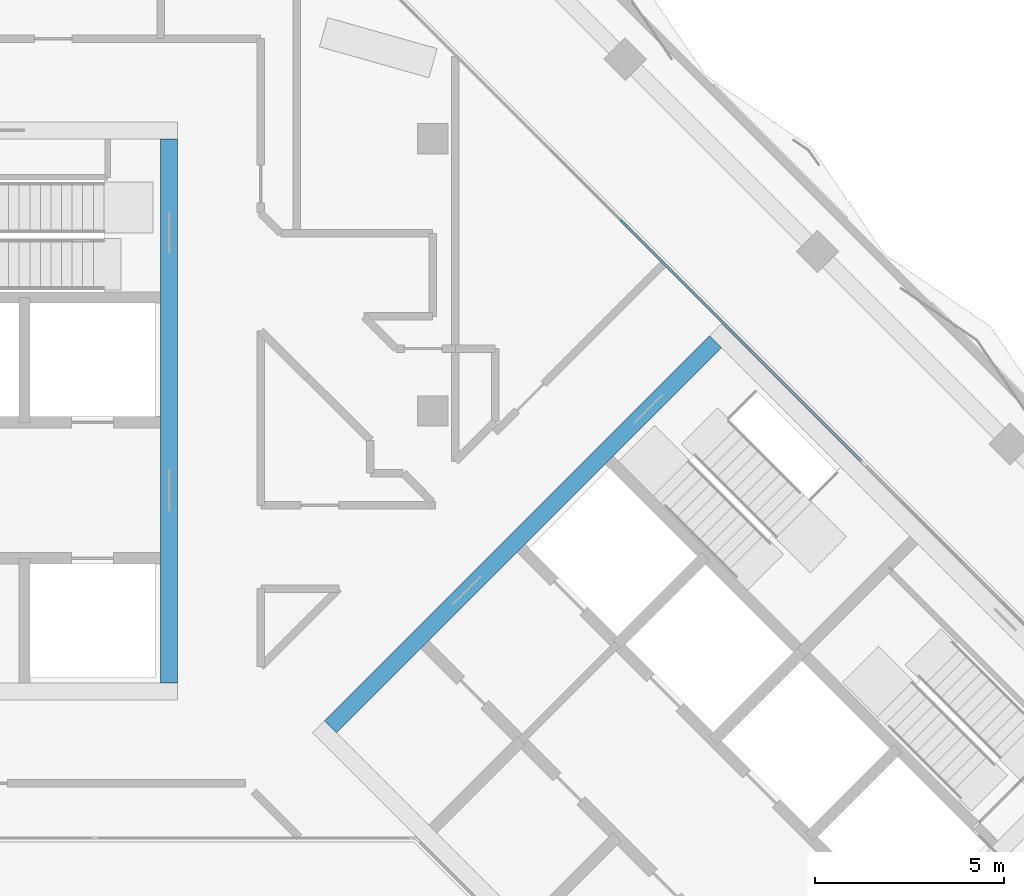
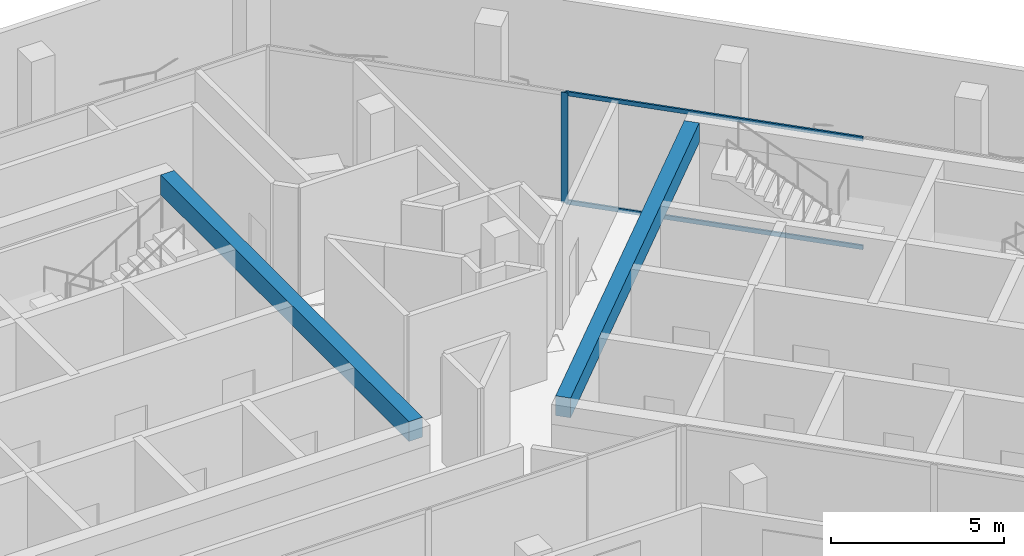
# One storey, part 4 of 19: 3 members, 2 beams, 1 element without a shape of its own.
"""IFC4 building model written with IfcOpenShell, lengths in metres."""

from ifc_helpers import new_model, si_unit, direction, frame, origin, origin_2d, place, context, subcontext, project, spatial, rectangle, extrude, material, material_profile, profile_set, type_object, element, aggregate, save


model = new_model("IFC4")

# Units and contexts
model_context = context("Model", 3, precision=1e-05, world=origin(), true_north=direction((0.0, 1.0)))
body_context = subcontext(model_context, "Body", "Model", "MODEL_VIEW")
ifc_project = project(units=[si_unit("LENGTHUNIT", "METRE"), si_unit("AREAUNIT", "SQUARE_METRE"), si_unit("VOLUMEUNIT", "CUBIC_METRE"), si_unit("PLANEANGLEUNIT", "RADIAN"), si_unit("MASSUNIT", "GRAM", prefix="KILO")], contexts=[model_context])

# Site, building, storey
site_placement = place(None, origin())
site = spatial("IfcSite", under=ifc_project, at=site_placement, CompositionType="ELEMENT")
building_placement = place(site_placement, origin())
building = spatial("IfcBuilding", under=site, at=building_placement, Name="Windrow Commons", CompositionType="ELEMENT")
storey_placement = place(building_placement, frame((0.0, 0.0, 230.4)))
storey = spatial("IfcBuildingStorey", under=building, at=storey_placement, Name="L63", CompositionType="ELEMENT", Elevation=230.4)

# Curtain wall, members
ifc_material_1 = material(Name="Clear laminated glass in Aluminium 6063-T6 anodised frame", Category="aluminium")
curtain_wall_type = type_object("IfcCurtainWallType", Name="Curtain wall CW2H sky lounge upper", PredefinedType="USERDEFINED", material=ifc_material_1)
curtain_wall_placement = place(storey_placement, origin())
curtain_wall = element("IfcCurtainWall", 1, at=curtain_wall_placement, inside=storey, type_object=curtain_wall_type, Name="Curtain wall CW2H L63 3", ObjectType="UNITISED", PredefinedType="USERDEFINED")
ifc_material_2 = material(Name="Aluminium 6063-T6", Category="aluminium")
ifc_material_profile_1 = material_profile(ifc_material_2, rectangle(XDim=0.06, YDim=0.2, at=origin_2d()))
ifc_profile_set_1 = profile_set([ifc_material_profile_1], Name="Aluminium 6063-T6")
member_type_1 = type_object("IfcMemberType", Name="CW2H mullion 60x200", PredefinedType="MULLION", material=ifc_profile_set_1)
member_1_placement = place(storey_placement, frame((84.2406, 62.5754, 0.0), z_axis=(0.0, 0.0, 1.0), x_axis=(-0.7071067812, -0.7071067812, 0.0)))
member_1 = element("IfcMember", 2, at=member_1_placement, type_object=member_type_1, Name="CW2H mullion 3", PredefinedType="MULLION", context=body_context, shape_type="SweptSolid", body=[
    extrude(rectangle(XDim=0.06, YDim=0.2, at=origin_2d()), origin(), (0.0, 0.0, 1.0), 3.9),
])
ifc_material_3 = material(Name="Aluminium 6063-T6", Category="aluminium")
ifc_material_profile_2 = material_profile(ifc_material_3, rectangle(XDim=0.06, YDim=0.15, at=origin_2d()))
ifc_profile_set_2 = profile_set([ifc_material_profile_2], Name="Aluminium 6063-T6")
member_type_2 = type_object("IfcMemberType", Name="CW2H transom 60x150", PredefinedType="USERDEFINED", material=ifc_profile_set_2)
member_2_placement = place(storey_placement, frame((90.5733, 56.2427, 0.03), z_axis=(-0.7071067812, 0.7071067812, 0.0), x_axis=(-0.7071067812, -0.7071067812, 0.0)))
member_2 = element("IfcMember", 3, at=member_2_placement, type_object=member_type_2, Name="CW2H transom 2.1", ObjectType="TRANSOM", PredefinedType="USERDEFINED", context=body_context, shape_type="SweptSolid", body=[
    extrude(rectangle(XDim=0.06, YDim=0.15, at=origin_2d()), origin(), (0.0, 0.0, 1.0), 8.9258),
])
member_3_placement = place(storey_placement, frame((90.5733, 56.2427, 3.87), z_axis=(-0.7071067812, 0.7071067812, 0.0), x_axis=(-0.7071067812, -0.7071067812, 0.0)))
member_3 = element("IfcMember", 4, at=member_3_placement, type_object=member_type_2, Name="CW2H transom 2.2", ObjectType="TRANSOM", PredefinedType="USERDEFINED", context=body_context, shape_type="SweptSolid", body=[
    extrude(rectangle(XDim=0.06, YDim=0.15, at=origin_2d()), origin(), (0.0, 0.0, 1.0), 8.9258),
])
aggregate(curtain_wall, [member_1, member_2, member_3])

# Beams
ifc_material_4 = material(Name="Concrete C40/50", Category="concrete")
ifc_material_profile_3 = material_profile(ifc_material_4, rectangle(XDim=0.45, YDim=0.7, at=origin_2d()))
ifc_profile_set_3 = profile_set([ifc_material_profile_3], Name="Concrete C40/50")
beam_type = type_object("IfcBeamType", Name="RC COUPLING BEAM 450x700 C40/50", PredefinedType="LINTEL", material=ifc_profile_set_3)
beam_1_placement = place(storey_placement, frame((72.225, 50.4, 3.55), z_axis=(0.0, 1.0, 0.0), x_axis=(-1.0, 0.0, 0.0)))
element("IfcBeam", 5, at=beam_1_placement, inside=storey, type_object=beam_type, Name="Core A coupling beam outer-E", PredefinedType="LINTEL", context=body_context, shape_type="SweptSolid", body=[
    extrude(rectangle(XDim=0.45, YDim=0.7, at=origin_2d()), origin(), (0.0, 0.0, 1.0), 14.4),
])
beam_2_placement = place(storey_placement, frame((76.4953, 49.2488, 3.55), z_axis=(0.7071067812, 0.7071067812, 0.0), x_axis=(-0.7071067812, 0.7071067812, 0.0)))
element("IfcBeam", 6, at=beam_2_placement, inside=storey, type_object=beam_type, Name="Core B coupling beam outer-W", PredefinedType="LINTEL", context=body_context, shape_type="SweptSolid", body=[
    extrude(rectangle(XDim=0.45, YDim=0.7, at=origin_2d()), origin(), (0.0, 0.0, 1.0), 14.4001),
])

save(model, "model.ifc")
